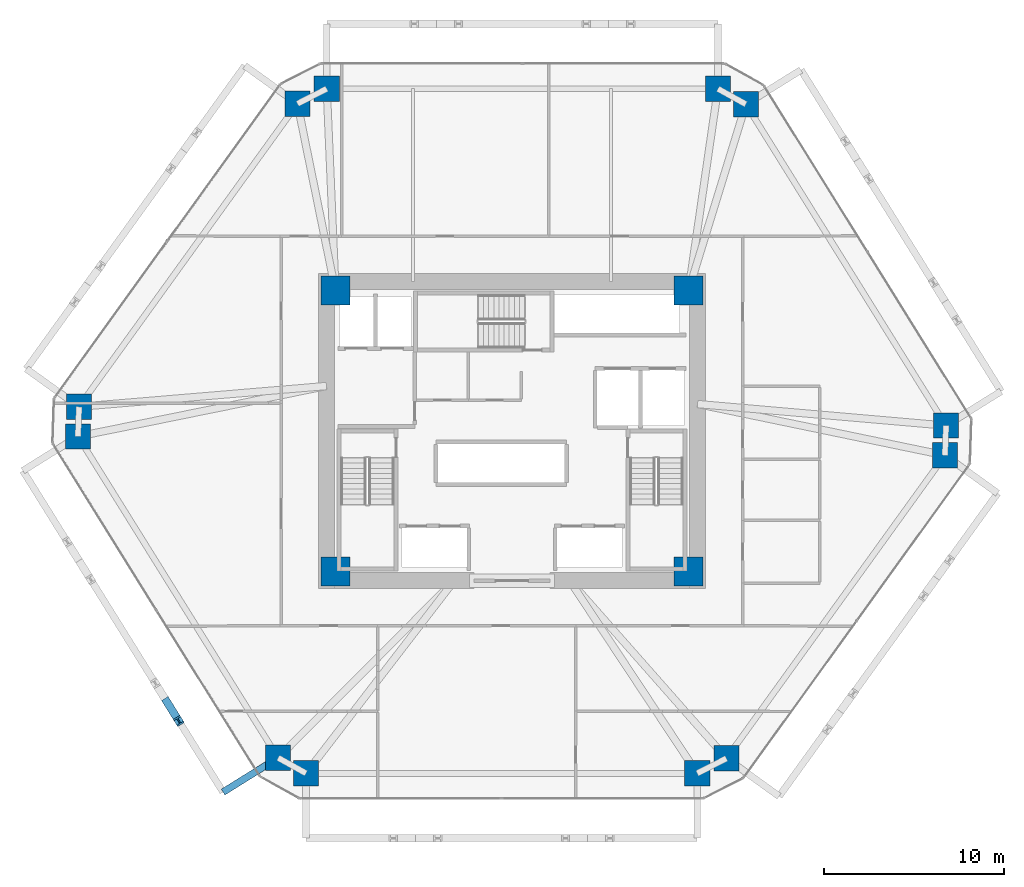
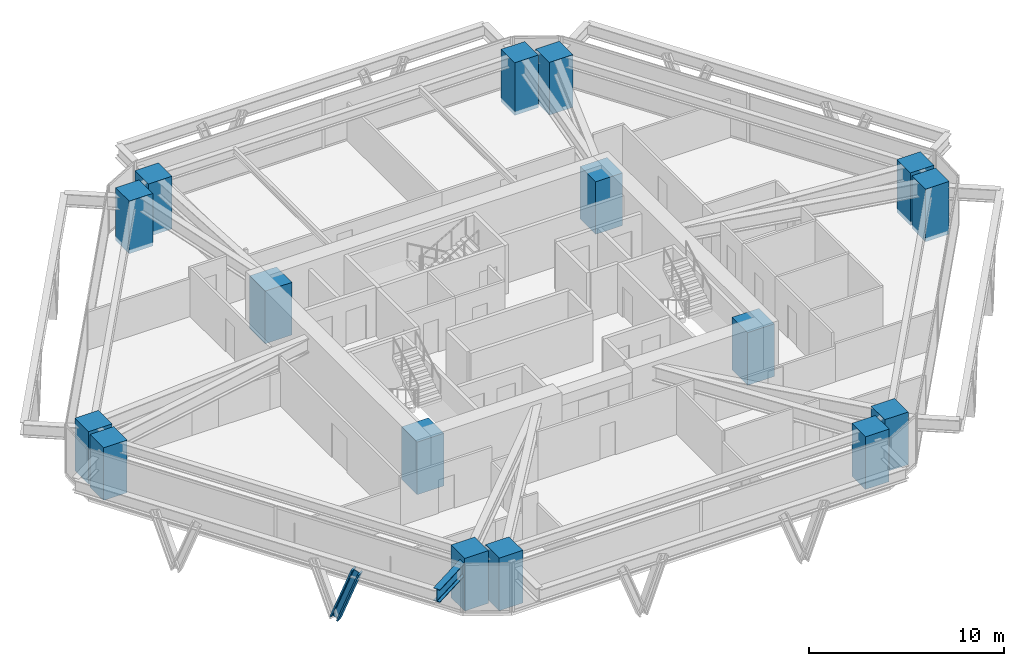
# One storey, part 1 of 14: 16 columns, 1 beam, 1 member.
"""IFC4 building model written with IfcOpenShell, lengths in metres."""

from ifc_helpers import new_model, si_unit, direction, frame, origin, origin_2d, place, context, subcontext, project, spatial, rectangle, i_section, extrude, source, transform, mapped, material, material_profile, profile_set, type_object, type_shapes, element, save


model = new_model("IFC4")

# Units and contexts
model_context = context("Model", 3, precision=1e-05, world=origin(), true_north=direction((0.0, 1.0)))
body_context = subcontext(model_context, "Body", "Model", "MODEL_VIEW")
ifc_project = project(units=[si_unit("LENGTHUNIT", "METRE"), si_unit("AREAUNIT", "SQUARE_METRE"), si_unit("VOLUMEUNIT", "CUBIC_METRE"), si_unit("PLANEANGLEUNIT", "RADIAN"), si_unit("MASSUNIT", "GRAM", prefix="KILO")], contexts=[model_context])

# Site, building, storey
site_placement = place(None, origin())
site = spatial("IfcSite", under=ifc_project, at=site_placement, CompositionType="ELEMENT")
building_placement = place(site_placement, origin())
building = spatial("IfcBuilding", under=site, at=building_placement, Name="Durnholm Broadcast Tower", CompositionType="ELEMENT")
storey_placement = place(building_placement, frame((0.0, 0.0, 48.89990234375)))
storey = spatial("IfcBuildingStorey", under=building, at=storey_placement, Name="L11", CompositionType="ELEMENT", Elevation=48.89990234375)

# Columns
ifc_material_1 = material(Name="Concrete C70/85", Category="concrete")
ifc_material_profile_1 = material_profile(ifc_material_1, rectangle(XDim=1.60009765625, YDim=1.60009765625, at=origin_2d()), Name="RC1600X1600")
ifc_profile_set_1 = profile_set([ifc_material_profile_1], Name="Concrete C70/85")
column_type_1 = type_object("IfcColumnType", Name="COL-CC-1600", PredefinedType="COLUMN", material=ifc_profile_set_1)
shared_shape_1 = source(origin(), body_context, "Body", "SweptSolid", [
    extrude(rectangle(XDim=1.60009765625, YDim=1.60009765625, at=origin_2d()), origin(), (0.0, 0.0, 1.0), 3.300048828125),
])
type_shapes(column_type_1, [shared_shape_1])
for number, where, z_axis, x_axis, name in (
    (1, (-9.800048828125, -7.800048828125, -0.239990234375), (0.0, 0.0, 1.0), (1.0, 0.0, 0.0), "L11 core corner column 1"),
    (2, (9.800048828125, -7.800048828125, -0.239990234375), (0.0, 0.0, 1.0), (1.0, 0.0, 0.0), "L11 core corner column 2"),
    (3, (9.800048828125, 7.800048828125, -0.239990234375), (0.0, 0.0, 1.0), (1.0, 0.0, 0.0), "L11 core corner column 3"),
    (4, (-9.800048828125, 7.800048828125, -0.239990234375), (0.0, 0.0, 1.0), (1.0, 0.0, 0.0), "L11 core corner column 4"),
):
    element("IfcColumn", number, at=place(storey_placement, frame(where, z_axis=z_axis, x_axis=x_axis)), inside=storey, type_object=column_type_1, Name=name, PredefinedType="COLUMN", context=body_context, shape_type="MappedRepresentation", body=[
        mapped(shared_shape_1, transform((0.0, 0.0, 0.0), x_axis=(1.0, 0.0, 0.0), y_axis=(0.0, 1.0, 0.0), z_axis=(0.0, 0.0, 1.0), scale=1.0)),
    ])
ifc_material_profile_2 = material_profile(ifc_material_1, rectangle(XDim=1.39990234375, YDim=1.39990234375, at=origin_2d()), Name="RC1400X1400")
ifc_profile_set_2 = profile_set([ifc_material_profile_2], Name="Concrete C70/85")
column_type_2 = type_object("IfcColumnType", Name="COL-CC-1400", PredefinedType="COLUMN", material=ifc_profile_set_2)
shared_shape_2 = source(origin(), body_context, "Body", "SweptSolid", [
    extrude(rectangle(XDim=1.39990234375, YDim=1.39990234375, at=origin_2d()), origin(), (0.0, 0.0, 1.0), 3.300048828125),
])
type_shapes(column_type_2, [shared_shape_2])
for number, where, z_axis, x_axis, name in (
    (5, (-12.982666015625, -18.138427734375, -0.239990234375), (0.0, 0.0, 1.0), (1.0, 0.0, 0.0), "L11 perimeter hexagonal tube column 01"),
    (6, (-24.0908203125, -0.2998046875, -0.239990234375), (0.0, 0.0, 1.0), (1.0, 0.0, 0.0), "L11 perimeter hexagonal tube column 02"),
    (7, (-24.034912109375, 1.347412109375, -0.239990234375), (0.0, 0.0, 1.0), (1.0, 0.0, 0.0), "L11 perimeter hexagonal tube column 03"),
    (8, (-11.907470703125, 18.16845703125, -0.239990234375), (0.0, 0.0, 1.0), (1.0, 0.0, 0.0), "L11 perimeter hexagonal tube column 04"),
    (9, (-10.28271484375, 19.0, -0.239990234375), (0.0, 0.0, 1.0), (1.0, 0.0, 0.0), "L11 perimeter hexagonal tube column 05"),
    (10, (11.43115234375, 19.0, -0.239990234375), (0.0, 0.0, 1.0), (1.0, 0.0, 0.0), "L11 perimeter hexagonal tube column 06"),
    (11, (12.982666015625, 18.138427734375, -0.239990234375), (0.0, 0.0, 1.0), (1.0, 0.0, 0.0), "L11 perimeter hexagonal tube column 07"),
    (12, (24.0908203125, 0.2998046875, -0.239990234375), (0.0, 0.0, 1.0), (1.0, 0.0, 0.0), "L11 perimeter hexagonal tube column 08"),
    (13, (24.034912109375, -1.347412109375, -0.239990234375), (0.0, 0.0, 1.0), (1.0, 0.0, 0.0), "L11 perimeter hexagonal tube column 09"),
    (14, (11.907470703125, -18.16845703125, -0.239990234375), (0.0, 0.0, 1.0), (1.0, 0.0, 0.0), "L11 perimeter hexagonal tube column 10"),
    (15, (10.28271484375, -19.0, -0.239990234375), (0.0, 0.0, 1.0), (1.0, 0.0, 0.0), "L11 perimeter hexagonal tube column 11"),
    (16, (-11.43115234375, -19.0, -0.239990234375), (0.0, 0.0, 1.0), (1.0, 0.0, 0.0), "L11 perimeter hexagonal tube column 12"),
):
    element("IfcColumn", number, at=place(storey_placement, frame(where, z_axis=z_axis, x_axis=x_axis)), inside=storey, type_object=column_type_2, Name=name, PredefinedType="COLUMN", context=body_context, shape_type="MappedRepresentation", body=[
        mapped(shared_shape_2, transform((0.0, 0.0, 0.0), x_axis=(1.0, 0.0, 0.0), y_axis=(0.0, 1.0, 0.0), z_axis=(0.0, 0.0, 1.0), scale=1.0)),
    ])

# Beam
ifc_material_2 = material(Name="Steel ASTM A992 Grade 50", Category="steel")
ifc_material_profile_3 = material_profile(ifc_material_2, i_section(OverallWidth=0.385009765625, OverallDepth=0.802978515625, WebThickness=0.023681640625, FlangeThickness=0.0419921875, FilletRadius=0.032958984375, at=origin_2d()), Name="W30X261")
ifc_profile_set_3 = profile_set([ifc_material_profile_3], Name="Steel ASTM A992 Grade 50")
beam_type = type_object("IfcBeamType", Name="BM-EXO-TIE", PredefinedType="USERDEFINED", material=ifc_profile_set_3)
shared_shape_3 = source(origin(), body_context, "Body", "SweptSolid", [
    extrude(i_section(OverallWidth=0.385009765625, OverallDepth=0.802978515625, WebThickness=0.023681640625, FlangeThickness=0.0419921875, FilletRadius=0.032958984375, at=origin_2d()), origin(), (0.0, 0.0, 1.0), 3.4560546875),
])
type_shapes(beam_type, [shared_shape_3])
beam_placement = place(storey_placement, frame((-13.10498046875, -18.214599609375, 2.30859375), z_axis=(-0.848854443891, -0.528626648105, 0.0), x_axis=(0.528626648105, -0.848854443891, 0.0)))
element("IfcBeam", 17, at=beam_placement, inside=storey, type_object=beam_type, Name="L11 exoskeleton stand-off tie bracket F6.2", ObjectType="GIRDER", PredefinedType="USERDEFINED", context=body_context, shape_type="MappedRepresentation", body=[
    mapped(shared_shape_3, transform((0.0, 0.0, 0.0), x_axis=(1.0, 0.0, 0.0), y_axis=(0.0, 1.0, 0.0), z_axis=(0.0, 0.0, 1.0), scale=1.0)),
])

# Member
ifc_material_3 = material(Name="Steel ASTM A913 Grade 65", Category="steel")
ifc_material_profile_4 = material_profile(ifc_material_3, i_section(OverallWidth=0.43212890625, OverallDepth=0.497802734375, WebThickness=0.0556640625, FlangeThickness=0.0888671875, FilletRadius=0.030517578125, at=origin_2d()), Name="W14X500")
ifc_profile_set_4 = profile_set([ifc_material_profile_4], Name="Steel ASTM A913 Grade 65")
member_type = type_object("IfcMemberType", Name="STL-DG-W14X500", PredefinedType="BRACE", material=ifc_profile_set_4)
shared_shape_4 = source(origin(), body_context, "Body", "SweptSolid", [
    extrude(i_section(OverallWidth=0.43212890625, OverallDepth=0.497802734375, WebThickness=0.0556640625, FlangeThickness=0.0888671875, FilletRadius=0.030517578125, at=origin_2d()), origin(), (0.0, 0.0, 1.0), 3.523193359375),
])
type_shapes(member_type, [shared_shape_4])
member_placement = place(storey_placement, frame((-19.14892578125, -15.04638671875, -0.991455078125), z_axis=(0.185090383068, -0.297281072018, 0.936677913861), x_axis=(0.848908635391, 0.528539618911, 0.0)))
element("IfcMember", 18, at=member_placement, inside=storey, type_object=member_type, Name="L11 stand-off diagrid brace F6.D2.2", PredefinedType="BRACE", context=body_context, shape_type="MappedRepresentation", body=[
    mapped(shared_shape_4, transform((0.0, 0.0, 0.0), x_axis=(1.0, 0.0, 0.0), y_axis=(0.0, 1.0, 0.0), z_axis=(0.0, 0.0, 1.0), scale=1.0)),
])

save(model, "model.ifc")
